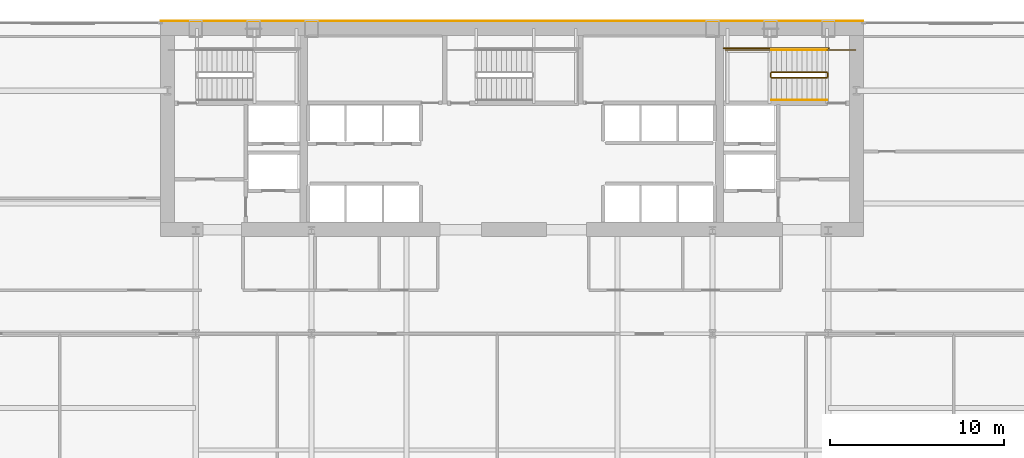
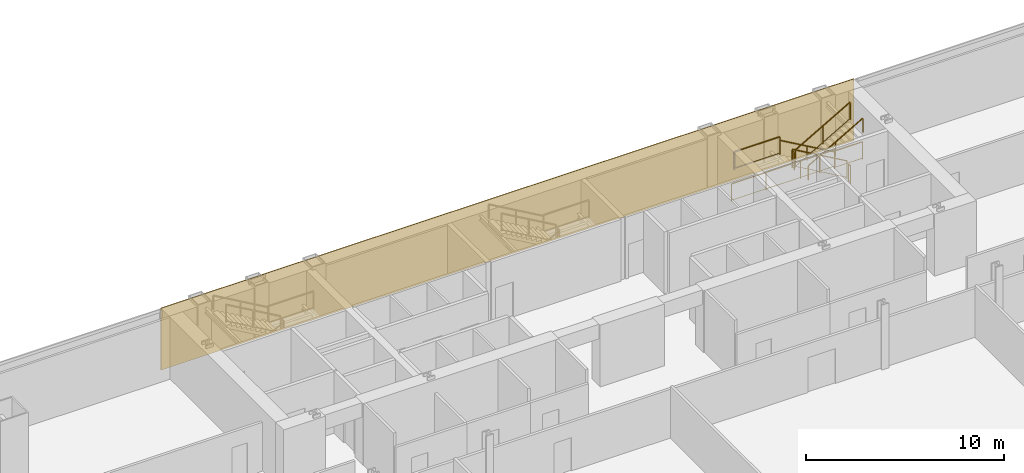
# One storey, part 36 of 37: 9 railings, 1 covering.
"""IFC4 building model written with IfcOpenShell, lengths in metres."""

from ifc_helpers import new_model, si_unit, direction, frame, origin, origin_2d, place, context, subcontext, project, spatial, polyline, rectangle, outline, extrude, material, layer, layer_set, type_object, element, save


model = new_model("IFC4")

# Units and contexts
model_context = context("Model", 3, precision=1e-05, world=origin(), true_north=direction((0.0, 1.0)))
body_context = subcontext(model_context, "Body", "Model", "MODEL_VIEW")
ifc_project = project(units=[si_unit("LENGTHUNIT", "METRE"), si_unit("AREAUNIT", "SQUARE_METRE"), si_unit("VOLUMEUNIT", "CUBIC_METRE"), si_unit("PLANEANGLEUNIT", "RADIAN"), si_unit("MASSUNIT", "GRAM", prefix="KILO")], contexts=[model_context])

# Site, building, storey
site_placement = place(None, origin())
site = spatial("IfcSite", under=ifc_project, at=site_placement, CompositionType="ELEMENT")
building_placement = place(site_placement, origin())
building = spatial("IfcBuilding", under=site, at=building_placement, Name="Khoronbel Lancet Exchange", CompositionType="ELEMENT")
storey_placement = place(building_placement, frame((0.0, 0.0, 45.800048828125)))
storey = spatial("IfcBuildingStorey", under=building, at=storey_placement, Name="L10", CompositionType="ELEMENT", Elevation=45.800048828125)

# Covering
ifc_material_1 = material(Name="Honed Egyptian Limestone & Bronze Rainscreen", Category="masonry")
ifc_layer = layer(ifc_material_1, 0.050048828125, Name="Honed Egyptian Limestone & Bronze Rainscreen")
ifc_layer_set = layer_set([ifc_layer], Name="Honed Egyptian Limestone & Bronze Rainscreen")
covering_type = type_object("IfcCoveringType", Name="COV-CLAD1", PredefinedType="CLADDING", material=ifc_layer_set)
covering_placement = place(storey_placement, origin())
element("IfcCovering", 1, at=covering_placement, inside=storey, type_object=covering_type, Name="Level L10 north rear-core stone and bronze rainscreen cladding", PredefinedType="CLADDING", context=body_context, shape_type="SweptSolid", body=[
    extrude(outline(polyline([(16.199951171875, 53.699951171875), (56.699951171875, 53.699951171875), (56.699951171875, 53.75), (16.199951171875, 53.75), (16.199951171875, 53.699951171875)])), origin(), (0.0, 0.0, 1.0), 3.820068359375),
])

# Railings
ifc_material_2 = material(Name="Painted Steel Balustrade", Category="steel")
railing_type_1 = type_object("IfcRailingType", Name="RL-STG110", PredefinedType="GUARDRAIL", material=ifc_material_2)
railing_1_placement = place(storey_placement, frame((54.60009765625, 50.77001953125, 0.16650390625)))
element("IfcRailing", 2, at=railing_1_placement, inside=storey, type_object=railing_type_1, Name="L10 ST2 stair guard 1", PredefinedType="GUARDRAIL", context=body_context, shape_type="SweptSolid", body=[
    extrude(rectangle(XDim=0.048095703125, YDim=0.048095703125, at=origin_2d()), frame((0.0, 0.0, 1.09619140625), z_axis=(-0.867007354286, 0.0, 0.498295341753), x_axis=(0.0, -1.0, 0.0)), (0.0, 0.0, 1.0), 3.679443359375),
    extrude(rectangle(XDim=0.02392578125, YDim=0.02392578125, at=origin_2d()), frame((0.0, 0.0, 0.080078125), z_axis=(-0.867007354286, 0.0, 0.498295341753), x_axis=(0.0, -1.0, 0.0)), (0.0, 0.0, 1.0), 3.679443359375),
    extrude(rectangle(XDim=0.0419921875, YDim=0.0419921875, at=origin_2d()), origin(), (0.0, 0.0, 1.0), 1.072021484375),
    extrude(rectangle(XDim=0.0419921875, YDim=0.0419921875, at=origin_2d()), frame((-1.59521484375, 0.0, 0.916748046875)), (0.0, 0.0, 1.0), 1.072021484375),
    extrude(rectangle(XDim=0.0419921875, YDim=0.0419921875, at=origin_2d()), frame((-3.190185546875, 0.0, 1.83349609375)), (0.0, 0.0, 1.0), 1.072021484375),
])
railing_2_placement = place(storey_placement, frame((51.360107421875, 50.719970703125, 2.0)))
element("IfcRailing", 3, at=railing_2_placement, inside=storey, type_object=railing_type_1, Name="L10 ST2 stair guard 2", PredefinedType="GUARDRAIL", context=body_context, shape_type="SweptSolid", body=[
    extrude(rectangle(XDim=0.048095703125, YDim=0.048095703125, at=origin_2d()), frame((0.0, 0.0, 1.09619140625), z_axis=(0.0, -1.0, 0.0), x_axis=(1.0, 0.0, 0.0)), (0.0, 0.0, 1.0), 0.219970703125),
    extrude(rectangle(XDim=0.02392578125, YDim=0.02392578125, at=origin_2d()), frame((0.0, 0.0, 0.080078125), z_axis=(0.0, -1.0, 0.0), x_axis=(1.0, 0.0, 0.0)), (0.0, 0.0, 1.0), 0.219970703125),
    extrude(rectangle(XDim=0.0419921875, YDim=0.0419921875, at=origin_2d()), origin(), (0.0, 0.0, 1.0), 1.072021484375),
    extrude(rectangle(XDim=0.0419921875, YDim=0.0419921875, at=origin_2d()), frame((0.0, -0.219970703125, 0.0)), (0.0, 0.0, 1.0), 1.072021484375),
])
railing_3_placement = place(storey_placement, frame((51.409912109375, 52.050048828125, 2.0)))
element("IfcRailing", 4, at=railing_3_placement, inside=storey, type_object=railing_type_1, Name="L10 ST2 stair guard 3", PredefinedType="GUARDRAIL", context=body_context, shape_type="SweptSolid", body=[
    extrude(rectangle(XDim=0.048095703125, YDim=0.048095703125, at=origin_2d()), frame((0.0, 0.0, 1.09619140625), z_axis=(-1.0, 0.0, 0.0), x_axis=(0.0, -1.0, 0.0)), (0.0, 0.0, 1.0), 2.659912109375),
    extrude(rectangle(XDim=0.02392578125, YDim=0.02392578125, at=origin_2d()), frame((0.0, 0.0, 0.080078125), z_axis=(-1.0, 0.0, 0.0), x_axis=(0.0, -1.0, 0.0)), (0.0, 0.0, 1.0), 2.659912109375),
    extrude(rectangle(XDim=0.0419921875, YDim=0.0419921875, at=origin_2d()), origin(), (0.0, 0.0, 1.0), 1.072021484375),
    extrude(rectangle(XDim=0.0419921875, YDim=0.0419921875, at=origin_2d()), frame((-2.659912109375, 0.0, 0.0)), (0.0, 0.0, 1.0), 1.072021484375),
])
railing_4_placement = place(storey_placement, frame((51.409912109375, 50.449951171875, 2.16650390625)))
element("IfcRailing", 5, at=railing_4_placement, inside=storey, type_object=railing_type_1, Name="L10 ST2 stair guard 4", PredefinedType="GUARDRAIL", context=body_context, shape_type="SweptSolid", body=[
    extrude(rectangle(XDim=0.048095703125, YDim=0.048095703125, at=origin_2d()), frame((0.0, 0.0, 1.09619140625), z_axis=(0.867007354286, 0.0, 0.498295341753), x_axis=(0.0, 1.0, 0.0)), (0.0, 0.0, 1.0), 3.679443359375),
    extrude(rectangle(XDim=0.02392578125, YDim=0.02392578125, at=origin_2d()), frame((0.0, 0.0, 0.080078125), z_axis=(0.867007354286, 0.0, 0.498295341753), x_axis=(0.0, 1.0, 0.0)), (0.0, 0.0, 1.0), 3.679443359375),
    extrude(rectangle(XDim=0.0419921875, YDim=0.0419921875, at=origin_2d()), origin(), (0.0, 0.0, 1.0), 1.072021484375),
    extrude(rectangle(XDim=0.0419921875, YDim=0.0419921875, at=origin_2d()), frame((1.59521484375, 0.0, 0.916748046875)), (0.0, 0.0, 1.0), 1.072021484375),
    extrude(rectangle(XDim=0.0419921875, YDim=0.0419921875, at=origin_2d()), frame((3.190185546875, 0.0, 1.83349609375)), (0.0, 0.0, 1.0), 1.072021484375),
])
railing_5_placement = place(storey_placement, frame((54.64990234375, 50.719970703125, 0.0)))
element("IfcRailing", 6, at=railing_5_placement, inside=storey, type_object=railing_type_1, Name="L10 ST2 stair guard 5", PredefinedType="GUARDRAIL", context=body_context, shape_type="SweptSolid", body=[
    extrude(rectangle(XDim=0.048095703125, YDim=0.048095703125, at=origin_2d()), frame((0.0, 0.0, 1.09619140625), z_axis=(0.0, -1.0, 0.0), x_axis=(1.0, 0.0, 0.0)), (0.0, 0.0, 1.0), 0.219970703125),
    extrude(rectangle(XDim=0.02392578125, YDim=0.02392578125, at=origin_2d()), frame((0.0, 0.0, 0.080078125), z_axis=(0.0, -1.0, 0.0), x_axis=(1.0, 0.0, 0.0)), (0.0, 0.0, 1.0), 0.219970703125),
    extrude(rectangle(XDim=0.0419921875, YDim=0.0419921875, at=origin_2d()), origin(), (0.0, 0.0, 1.0), 1.072021484375),
    extrude(rectangle(XDim=0.0419921875, YDim=0.0419921875, at=origin_2d()), frame((0.0, -0.219970703125, 0.0)), (0.0, 0.0, 1.0), 1.072021484375),
])
railing_6_placement = place(storey_placement, frame((56.25, 52.050048828125, 0.0)))
element("IfcRailing", 7, at=railing_6_placement, inside=storey, type_object=railing_type_1, Name="L10 ST2 stair guard 6", PredefinedType="GUARDRAIL", context=body_context, shape_type="SweptSolid", body=[
    extrude(rectangle(XDim=0.048095703125, YDim=0.048095703125, at=origin_2d()), frame((0.0, 0.0, 1.09619140625), z_axis=(-1.0, 0.0, 0.0), x_axis=(0.0, -1.0, 0.0)), (0.0, 0.0, 1.0), 1.64990234375),
    extrude(rectangle(XDim=0.02392578125, YDim=0.02392578125, at=origin_2d()), frame((0.0, 0.0, 0.080078125), z_axis=(-1.0, 0.0, 0.0), x_axis=(0.0, -1.0, 0.0)), (0.0, 0.0, 1.0), 1.64990234375),
    extrude(rectangle(XDim=0.0419921875, YDim=0.0419921875, at=origin_2d()), origin(), (0.0, 0.0, 1.0), 1.072021484375),
    extrude(rectangle(XDim=0.0419921875, YDim=0.0419921875, at=origin_2d()), frame((-1.64990234375, 0.0, 0.0)), (0.0, 0.0, 1.0), 1.072021484375),
])
railing_7_placement = place(storey_placement, frame((54.699951171875, 52.14990234375, 0.0)))
element("IfcRailing", 8, at=railing_7_placement, inside=storey, type_object=railing_type_1, Name="L10 ST2 stair guard 7", PredefinedType="GUARDRAIL", context=body_context, shape_type="SweptSolid", body=[
    extrude(rectangle(XDim=0.048095703125, YDim=0.048095703125, at=origin_2d()), frame((0.0, 0.0, 1.09619140625), z_axis=(-1.0, 0.0, 0.0), x_axis=(0.0, -1.0, 0.0)), (0.0, 0.0, 1.0), 6.050048828125),
    extrude(rectangle(XDim=0.02392578125, YDim=0.02392578125, at=origin_2d()), frame((0.0, 0.0, 0.080078125), z_axis=(-1.0, 0.0, 0.0), x_axis=(0.0, -1.0, 0.0)), (0.0, 0.0, 1.0), 6.050048828125),
    extrude(rectangle(XDim=0.0419921875, YDim=0.0419921875, at=origin_2d()), origin(), (0.0, 0.0, 1.0), 1.072021484375),
    extrude(rectangle(XDim=0.0419921875, YDim=0.0419921875, at=origin_2d()), frame((-2.0166015625, 0.0, 0.0)), (0.0, 0.0, 1.0), 1.072021484375),
    extrude(rectangle(XDim=0.0419921875, YDim=0.0419921875, at=origin_2d()), frame((-4.033447265625, 0.0, 0.0)), (0.0, 0.0, 1.0), 1.072021484375),
    extrude(rectangle(XDim=0.0419921875, YDim=0.0419921875, at=origin_2d()), frame((-6.050048828125, 0.0, 0.0)), (0.0, 0.0, 1.0), 1.072021484375),
])
ifc_material_3 = material(Name="Brushed Stainless Steel 316", Category="steel")
railing_type_2 = type_object("IfcRailingType", Name="RL-STH92", PredefinedType="HANDRAIL", material=ifc_material_3)
railing_8_placement = place(storey_placement, frame((54.60009765625, 52.050048828125, 0.16650390625)))
element("IfcRailing", 9, at=railing_8_placement, inside=storey, type_object=railing_type_2, Name="L10 ST2 stair handrail 1", PredefinedType="HANDRAIL", context=body_context, shape_type="SweptSolid", body=[
    extrude(rectangle(XDim=0.048095703125, YDim=0.048095703125, at=origin_2d()), frame((0.0, 0.0, 0.8759765625), z_axis=(-0.867007354286, 0.0, 0.498295341753), x_axis=(0.0, -1.0, 0.0)), (0.0, 0.0, 1.0), 3.679443359375),
    extrude(rectangle(XDim=0.0419921875, YDim=0.0419921875, at=origin_2d()), origin(), (0.0, 0.0, 1.0), 0.851806640625),
    extrude(rectangle(XDim=0.0419921875, YDim=0.0419921875, at=origin_2d()), frame((-1.59521484375, 0.0, 0.916748046875)), (0.0, 0.0, 1.0), 0.851806640625),
    extrude(rectangle(XDim=0.0419921875, YDim=0.0419921875, at=origin_2d()), frame((-3.190185546875, 0.0, 1.83349609375)), (0.0, 0.0, 1.0), 0.851806640625),
])
railing_9_placement = place(storey_placement, frame((51.409912109375, 49.169921875, 2.16650390625)))
element("IfcRailing", 10, at=railing_9_placement, inside=storey, type_object=railing_type_2, Name="L10 ST2 stair handrail 2", PredefinedType="HANDRAIL", context=body_context, shape_type="SweptSolid", body=[
    extrude(rectangle(XDim=0.048095703125, YDim=0.048095703125, at=origin_2d()), frame((0.0, 0.0, 0.8759765625), z_axis=(0.867007354286, 0.0, 0.498295341753), x_axis=(0.0, 1.0, 0.0)), (0.0, 0.0, 1.0), 3.679443359375),
    extrude(rectangle(XDim=0.0419921875, YDim=0.0419921875, at=origin_2d()), origin(), (0.0, 0.0, 1.0), 0.851806640625),
    extrude(rectangle(XDim=0.0419921875, YDim=0.0419921875, at=origin_2d()), frame((1.59521484375, 0.0, 0.916748046875)), (0.0, 0.0, 1.0), 0.851806640625),
    extrude(rectangle(XDim=0.0419921875, YDim=0.0419921875, at=origin_2d()), frame((3.190185546875, 0.0, 1.83349609375)), (0.0, 0.0, 1.0), 0.851806640625),
])

save(model, "model.ifc")
